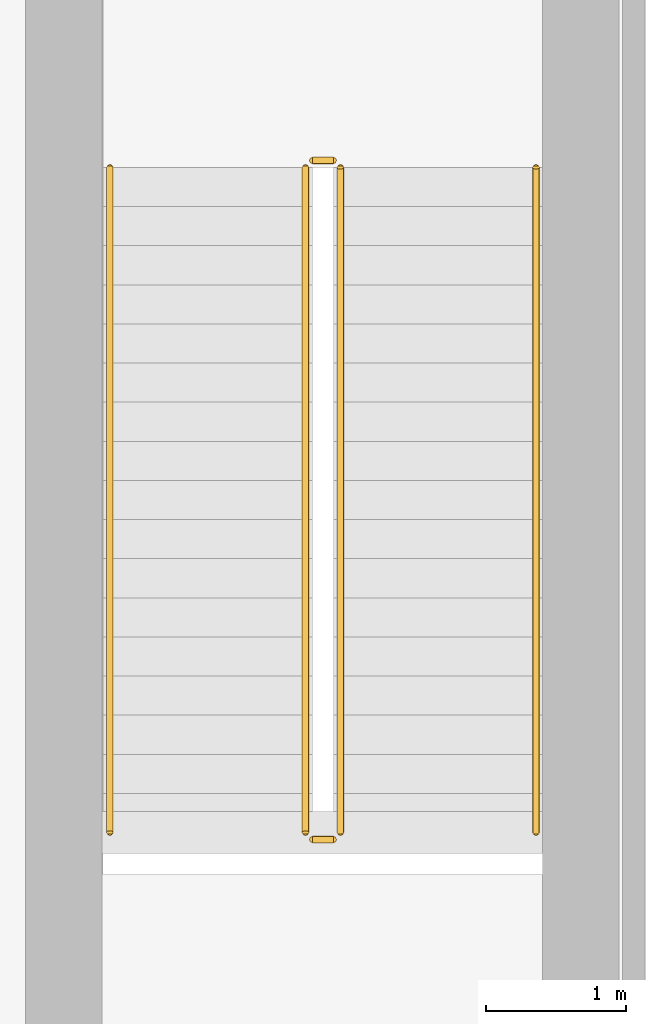
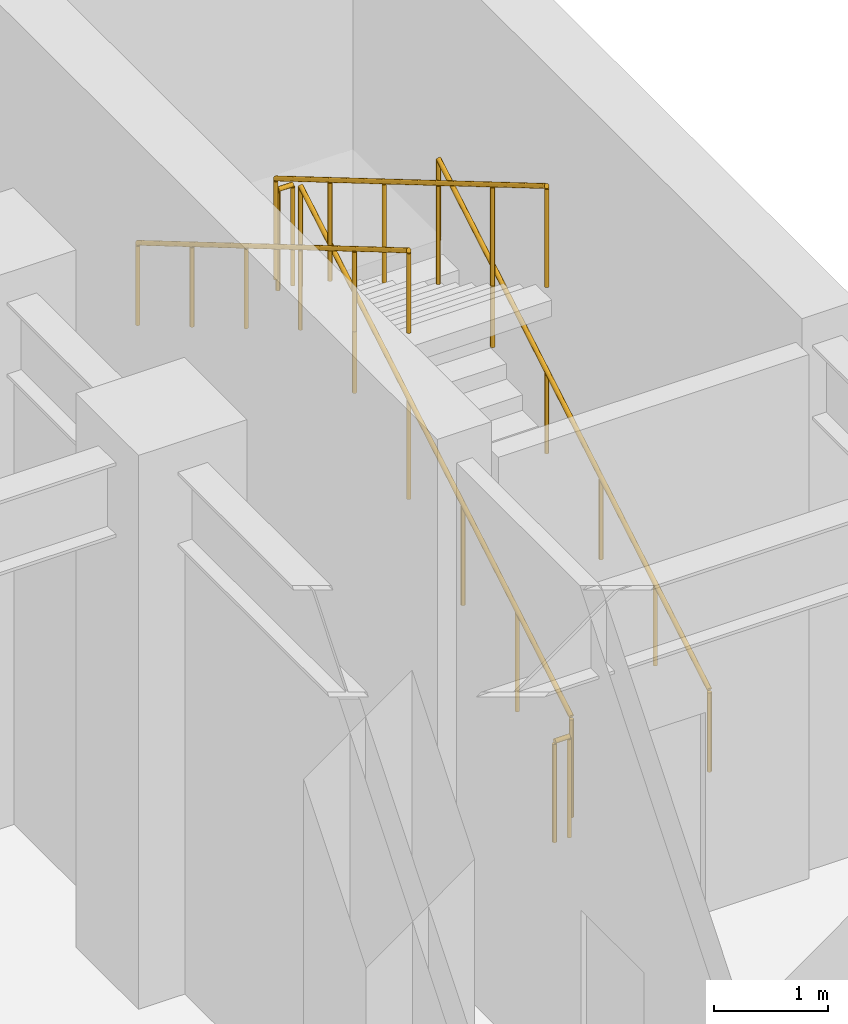
# One storey, part 14 of 18: 6 railings.
"""IFC4 building model written with IfcOpenShell, lengths in metres."""

import ifcopenshell
import ifcopenshell.guid

model = None  # the IFC model being written
_history = None  # IfcOwnerHistory: only IFC2X3 demands one
_inside = {}  # id of a spatial element -> (the spatial element, [elements in it])
_under = {}  # id of a project, library or spatial element -> (it, [spatial elements below it])
_declared = {}  # id of a project -> (the project, [libraries it declares])
_typed = {}  # id of a type object -> (the type object, [elements of that type])
_made_of = {}  # id of a material, layer set ... -> (it, [elements and type objects made of it])


def new_model(schema):
    """Start an empty IFC model of exactly this schema.

    Asked for "IFC4X3", IfcOpenShell would pick the latest addendum, in which some entities
    have other attributes; the version numbers below select the first issue.
    IFC2X3 requires an IfcOwnerHistory on every rooted entity: one is made here for all.
    """
    global model, _history
    if schema == "IFC4X3":
        model = ifcopenshell.file(schema_version=(4, 3, 0, 0))
    else:
        model = ifcopenshell.file(schema=schema)
    _inside.clear()
    _under.clear()
    _declared.clear()
    _typed.clear()
    _made_of.clear()
    _history = None
    if model.schema == "IFC2X3":
        org = make("IfcOrganization", Name="unknown")
        user = make(
            "IfcPersonAndOrganization",
            ThePerson=make("IfcPerson", FamilyName="unknown"),
            TheOrganization=org,
        )
        app = make(
            "IfcApplication",
            ApplicationDeveloper=org,
            Version="unknown",
            ApplicationFullName="unknown",
            ApplicationIdentifier="unknown",
        )
        _history = make(
            "IfcOwnerHistory",
            OwningUser=user,
            OwningApplication=app,
            ChangeAction="ADDED",
            CreationDate=0,
        )
    return model


def make(cls, **values):
    """One entity of the class cls with the attributes given. An attribute that is None is left unset."""
    return model.create_entity(
        cls, **{name: value for name, value in values.items() if value is not None}
    )


def rooted(cls, **values):
    """An entity with a GlobalId (a new one), such as an element, a storey or a relation."""
    return make(cls, GlobalId=ifcopenshell.guid.new(), OwnerHistory=_history, **values)


def si_unit(unit_type, name, prefix=None):
    """IfcSIUnit, for example si_unit("LENGTHUNIT", "METRE", prefix="MILLI")."""
    return make("IfcSIUnit", UnitType=unit_type, Prefix=prefix, Name=name)


def assignment(units):
    """IfcUnitAssignment: the units of a project."""
    return None if units is None else make("IfcUnitAssignment", Units=units)


def point(xyz):
    """IfcCartesianPoint."""
    return None if xyz is None else make("IfcCartesianPoint", Coordinates=xyz)


def direction(xyz):
    """IfcDirection."""
    return None if xyz is None else make("IfcDirection", DirectionRatios=xyz)


def frame(location, z_axis=None, x_axis=None):
    """IfcAxis2Placement3D, a coordinate frame: its origin and axes. An axis left out is left unset."""
    return make(
        "IfcAxis2Placement3D",
        Location=point(location),
        Axis=direction(z_axis),
        RefDirection=direction(x_axis),
    )


def frame_2d(location, x_axis=None):
    """IfcAxis2Placement2D, a coordinate frame in the plane: its origin and x axis."""
    return make(
        "IfcAxis2Placement2D", Location=point(location), RefDirection=direction(x_axis)
    )


def origin():
    """The frame at (0, 0, 0) with its axes left unset."""
    return frame((0.0, 0.0, 0.0))


def origin_2d():
    """The frame at (0, 0) in the plane with its x axis left unset."""
    return frame_2d((0.0, 0.0))


def place(relative_to, where):
    """IfcLocalPlacement: puts the frame where relative to a parent placement (None: the world)."""
    return make(
        "IfcLocalPlacement", PlacementRelTo=relative_to, RelativePlacement=where
    )


def context(
    kind, dimensions, precision=None, world=None, true_north=None, identifier=None
):
    """IfcGeometricRepresentationContext, for example the 3D "Model" context."""
    return make(
        "IfcGeometricRepresentationContext",
        ContextIdentifier=identifier,
        ContextType=kind,
        CoordinateSpaceDimension=dimensions,
        Precision=precision,
        WorldCoordinateSystem=world,
        TrueNorth=true_north,
    )


def subcontext(parent, identifier, kind, view, scale=None):
    """IfcGeometricRepresentationSubContext, for example "Body" below "Model"."""
    return make(
        "IfcGeometricRepresentationSubContext",
        ContextIdentifier=identifier,
        ContextType=kind,
        ParentContext=parent,
        TargetScale=scale,
        TargetView=view,
    )


def project(units=None, contexts=None):
    """IfcProject with its units and contexts."""
    return rooted(
        "IfcProject",
        Name="project",
        RepresentationContexts=contexts,
        UnitsInContext=assignment(units),
    )


def spatial(cls, under=None, at=None, **own):
    """A site, building, storey or space (cls), placed at a placement, below another one or the project."""
    s = rooted(cls, ObjectPlacement=at, **own)
    if under is not None:
        _under.setdefault(under.id(), (under, []))[1].append(s)
    return s


def profile(cls, at=None, kind="AREA", **sizes):
    """A parametric profile (cls). Its sizes go by their IFC names, for example OverallWidth=200.0."""
    return make(cls, ProfileType=kind, Position=at, **sizes)


def circle(**sizes):
    """IfcCircleProfileDef."""
    return profile("IfcCircleProfileDef", **sizes)


def extrude(swept, where, along, depth):
    """IfcExtrudedAreaSolid: the profile swept, set in the frame where, extruded along a direction by depth."""
    return make(
        "IfcExtrudedAreaSolid",
        SweptArea=swept,
        Position=where,
        ExtrudedDirection=direction(along),
        Depth=depth,
    )


def shape(context_of_items, identifier, shape_type, items):
    """IfcShapeRepresentation: the items that make up one representation, for example the "Body"."""
    return make(
        "IfcShapeRepresentation",
        ContextOfItems=context_of_items,
        RepresentationIdentifier=identifier,
        RepresentationType=shape_type,
        Items=items,
    )


def material(Name=None, Category=None):
    """IfcMaterial."""
    return make("IfcMaterial", Name=Name, Category=Category)


def made_of(thing, what):
    """Note that an element or type object is made of a material, layer set ...; save() writes the relation."""
    if what is not None:
        _made_of.setdefault(what.id(), (what, []))[1].append(thing)
    return thing


def type_object(cls, material=None, **own):
    """A type object (cls), such as IfcWallType, which elements share."""
    return made_of(rooted(cls, **own), material)


def element(
    cls,
    number,
    at=None,
    inside=None,
    cuts=None,
    type_object=None,
    material=None,
    context=None,
    identifier="Body",
    shape_type=None,
    held_by="IfcProductDefinitionShape",
    body=None,
    shapes=None,
    **own,
):
    """One element of the class cls, such as IfcWall. Its Tag is "e" and its number.

    at: its placement. inside: the storey or other place that contains it. cuts: it is an
    opening in that element (IfcRelVoidsElement). A single representation is given by context,
    identifier, shape_type and body (its items); several are given by shapes. held_by: the class
    of the entity that holds the representations. save() writes the other relations.
    """
    e = rooted(cls, Tag="e%d" % number, ObjectPlacement=at, **own)
    if body is not None:
        shapes = [shape(context, identifier, shape_type, body)]
    if shapes is not None:
        e.Representation = make(held_by, Representations=shapes)
    if inside is not None:
        _inside.setdefault(inside.id(), (inside, []))[1].append(e)
    if cuts is not None:
        rooted(
            "IfcRelVoidsElement", RelatingBuildingElement=cuts, RelatedOpeningElement=e
        )
    if type_object is not None:
        _typed.setdefault(type_object.id(), (type_object, []))[1].append(e)
    return made_of(e, material)


def aggregate(whole, parts):
    """IfcRelAggregates: a whole, such as a stair, and the parts it consists of."""
    return rooted("IfcRelAggregates", RelatingObject=whole, RelatedObjects=parts)


def save(model, path):
    """Write the relations noted so far, then the file.

    IfcRelAggregates (storeys below a building ...), IfcRelContainedInSpatialStructure (elements
    in a storey), IfcRelDefinesByType, IfcRelAssociatesMaterial and IfcRelDeclares: one each for
    every whole, place, type object, material and project.
    """
    for whole, parts in _under.values():
        aggregate(whole, parts)
    for where, things in _inside.values():
        rooted(
            "IfcRelContainedInSpatialStructure",
            RelatedElements=things,
            RelatingStructure=where,
        )
    for kind, things in _typed.values():
        rooted("IfcRelDefinesByType", RelatedObjects=things, RelatingType=kind)
    for what, things in _made_of.values():
        rooted("IfcRelAssociatesMaterial", RelatedObjects=things, RelatingMaterial=what)
    for by, libraries in _declared.values():
        rooted("IfcRelDeclares", RelatingContext=by, RelatedDefinitions=libraries)
    model.write(path)


model = new_model("IFC4")

# Units and contexts
model_context = context("Model", 3, precision=1e-05, world=origin(), true_north=direction((0.0, 1.0)))
body_context = subcontext(model_context, "Body", "Model", "MODEL_VIEW")
ifc_project = project(units=[si_unit("LENGTHUNIT", "METRE"), si_unit("AREAUNIT", "SQUARE_METRE"), si_unit("VOLUMEUNIT", "CUBIC_METRE"), si_unit("PLANEANGLEUNIT", "RADIAN"), si_unit("MASSUNIT", "GRAM", prefix="KILO")], contexts=[model_context])

# Site, building, storey
site_placement = place(None, origin())
site = spatial("IfcSite", under=ifc_project, at=site_placement, CompositionType="ELEMENT")
building_placement = place(site_placement, origin())
building = spatial("IfcBuilding", under=site, at=building_placement, Name="Kefirva Bronze Tower", CompositionType="ELEMENT")
storey_placement = place(building_placement, origin())
storey = spatial("IfcBuildingStorey", under=building, at=storey_placement, Name="L00", CompositionType="ELEMENT", Elevation=0.0)

# Railings
ifc_material = material(Name="Stainless steel 316", Category="steel")
railing_type_1 = type_object("IfcRailingType", Name="Interior Stair Guardrail 1100mm", PredefinedType="GUARDRAIL", material=ifc_material)
railing_1_placement = place(storey_placement, frame((53.5, 22.699951171875, 0.1650390625)))
element("IfcRailing", 1, at=railing_1_placement, inside=storey, type_object=railing_type_1, Name="L00 ST-4 stair guard 1", PredefinedType="GUARDRAIL", context=body_context, shape_type="SweptSolid", body=[
    extrude(circle(Radius=0.02392578125, at=origin_2d()), frame((0.0, 0.0, 1.076171875), z_axis=(0.0, 0.861544328885, 0.507682350852), x_axis=(-1.0, 0.0, 0.0)), (0.0, 0.0, 1.0), 5.52490234375),
    extrude(circle(Radius=0.02099609375, at=origin_2d()), origin(), (0.0, 0.0, 1.0), 1.052001953125),
    extrude(circle(Radius=0.02099609375, at=origin_2d()), frame((0.0, 0.951904296875, 0.56103515625)), (0.0, 0.0, 1.0), 1.052001953125),
    extrude(circle(Radius=0.02099609375, at=origin_2d()), frame((0.0, 1.904052734375, 1.1220703125)), (0.0, 0.0, 1.0), 1.052001953125),
    extrude(circle(Radius=0.02099609375, at=origin_2d()), frame((0.0, 2.85595703125, 1.682861328125)), (0.0, 0.0, 1.0), 1.052001953125),
    extrude(circle(Radius=0.02099609375, at=origin_2d()), frame((0.0, 3.80810546875, 2.243896484375)), (0.0, 0.0, 1.0), 1.052001953125),
    extrude(circle(Radius=0.02099609375, at=origin_2d()), frame((0.0, 4.760009765625, 2.804931640625)), (0.0, 0.0, 1.0), 1.052001953125),
])
railing_2_placement = place(storey_placement, frame((53.449951171875, 27.510009765625, 2.969970703125)))
element("IfcRailing", 2, at=railing_2_placement, inside=storey, type_object=railing_type_1, Name="L00 ST-4 stair guard 2", PredefinedType="GUARDRAIL", context=body_context, shape_type="SweptSolid", body=[
    extrude(circle(Radius=0.02392578125, at=origin_2d()), frame((0.0, 0.0, 1.076171875), z_axis=(-1.0, 0.0, 0.0), x_axis=(0.0, -1.0, 0.0)), (0.0, 0.0, 1.0), 0.14990234375),
    extrude(circle(Radius=0.02099609375, at=origin_2d()), origin(), (0.0, 0.0, 1.0), 1.052001953125),
    extrude(circle(Radius=0.02099609375, at=origin_2d()), frame((-0.14990234375, 0.0, 0.0)), (0.0, 0.0, 1.0), 1.052001953125),
])
railing_3_placement = place(storey_placement, frame((53.25, 27.4599609375, 3.135009765625)))
element("IfcRailing", 3, at=railing_3_placement, inside=storey, type_object=railing_type_1, Name="L00 ST-4 stair guard 3", PredefinedType="GUARDRAIL", context=body_context, shape_type="SweptSolid", body=[
    extrude(circle(Radius=0.02392578125, at=origin_2d()), frame((0.0, 0.0, 1.076171875), z_axis=(0.0, -0.861544328885, 0.507682350852), x_axis=(1.0, 0.0, 0.0)), (0.0, 0.0, 1.0), 5.52490234375),
    extrude(circle(Radius=0.02099609375, at=origin_2d()), origin(), (0.0, 0.0, 1.0), 1.052001953125),
    extrude(circle(Radius=0.02099609375, at=origin_2d()), frame((0.0, -0.951904296875, 0.56103515625)), (0.0, 0.0, 1.0), 1.052001953125),
    extrude(circle(Radius=0.02099609375, at=origin_2d()), frame((0.0, -1.904052734375, 1.1220703125)), (0.0, 0.0, 1.0), 1.052001953125),
    extrude(circle(Radius=0.02099609375, at=origin_2d()), frame((0.0, -2.85595703125, 1.682861328125)), (0.0, 0.0, 1.0), 1.052001953125),
    extrude(circle(Radius=0.02099609375, at=origin_2d()), frame((0.0, -3.80810546875, 2.243896484375)), (0.0, 0.0, 1.0), 1.052001953125),
    extrude(circle(Radius=0.02099609375, at=origin_2d()), frame((0.0, -4.760009765625, 2.804931640625)), (0.0, 0.0, 1.0), 1.052001953125),
])
railing_4_placement = place(storey_placement, frame((53.449951171875, 22.64990234375, 0.0)))
element("IfcRailing", 4, at=railing_4_placement, inside=storey, type_object=railing_type_1, Name="L00 ST-4 stair guard 4", PredefinedType="GUARDRAIL", context=body_context, shape_type="SweptSolid", body=[
    extrude(circle(Radius=0.02392578125, at=origin_2d()), frame((0.0, 0.0, 1.076171875), z_axis=(-1.0, 0.0, 0.0), x_axis=(0.0, -1.0, 0.0)), (0.0, 0.0, 1.0), 0.14990234375),
    extrude(circle(Radius=0.02099609375, at=origin_2d()), origin(), (0.0, 0.0, 1.0), 1.052001953125),
    extrude(circle(Radius=0.02099609375, at=origin_2d()), frame((-0.14990234375, 0.0, 0.0)), (0.0, 0.0, 1.0), 1.052001953125),
])
railing_type_2 = type_object("IfcRailingType", Name="Stair Pitch Handrail 900mm", PredefinedType="HANDRAIL", material=ifc_material)
railing_5_placement = place(storey_placement, frame((54.89990234375, 22.699951171875, 0.1650390625)))
element("IfcRailing", 5, at=railing_5_placement, inside=storey, type_object=railing_type_2, Name="L00 ST-4 stair handrail 1", PredefinedType="HANDRAIL", context=body_context, shape_type="SweptSolid", body=[
    extrude(circle(Radius=0.02392578125, at=origin_2d()), frame((0.0, 0.0, 0.8759765625), z_axis=(0.0, 0.861544328885, 0.507682350852), x_axis=(-1.0, 0.0, 0.0)), (0.0, 0.0, 1.0), 5.52490234375),
    extrude(circle(Radius=0.02099609375, at=origin_2d()), origin(), (0.0, 0.0, 1.0), 0.851806640625),
    extrude(circle(Radius=0.02099609375, at=origin_2d()), frame((0.0, 0.951904296875, 0.56103515625)), (0.0, 0.0, 1.0), 0.851806640625),
    extrude(circle(Radius=0.02099609375, at=origin_2d()), frame((0.0, 1.904052734375, 1.1220703125)), (0.0, 0.0, 1.0), 0.851806640625),
    extrude(circle(Radius=0.02099609375, at=origin_2d()), frame((0.0, 2.85595703125, 1.682861328125)), (0.0, 0.0, 1.0), 0.851806640625),
    extrude(circle(Radius=0.02099609375, at=origin_2d()), frame((0.0, 3.80810546875, 2.243896484375)), (0.0, 0.0, 1.0), 0.851806640625),
    extrude(circle(Radius=0.02099609375, at=origin_2d()), frame((0.0, 4.760009765625, 2.804931640625)), (0.0, 0.0, 1.0), 0.851806640625),
])
railing_6_placement = place(storey_placement, frame((51.85009765625, 27.4599609375, 3.135009765625)))
element("IfcRailing", 6, at=railing_6_placement, inside=storey, type_object=railing_type_2, Name="L00 ST-4 stair handrail 2", PredefinedType="HANDRAIL", context=body_context, shape_type="SweptSolid", body=[
    extrude(circle(Radius=0.02392578125, at=origin_2d()), frame((0.0, 0.0, 0.8759765625), z_axis=(0.0, -0.861544328885, 0.507682350852), x_axis=(1.0, 0.0, 0.0)), (0.0, 0.0, 1.0), 5.52490234375),
    extrude(circle(Radius=0.02099609375, at=origin_2d()), origin(), (0.0, 0.0, 1.0), 0.851806640625),
    extrude(circle(Radius=0.02099609375, at=origin_2d()), frame((0.0, -0.951904296875, 0.56103515625)), (0.0, 0.0, 1.0), 0.851806640625),
    extrude(circle(Radius=0.02099609375, at=origin_2d()), frame((0.0, -1.904052734375, 1.1220703125)), (0.0, 0.0, 1.0), 0.851806640625),
    extrude(circle(Radius=0.02099609375, at=origin_2d()), frame((0.0, -2.85595703125, 1.682861328125)), (0.0, 0.0, 1.0), 0.851806640625),
    extrude(circle(Radius=0.02099609375, at=origin_2d()), frame((0.0, -3.80810546875, 2.243896484375)), (0.0, 0.0, 1.0), 0.851806640625),
    extrude(circle(Radius=0.02099609375, at=origin_2d()), frame((0.0, -4.760009765625, 2.804931640625)), (0.0, 0.0, 1.0), 0.851806640625),
])

save(model, "model.ifc")
